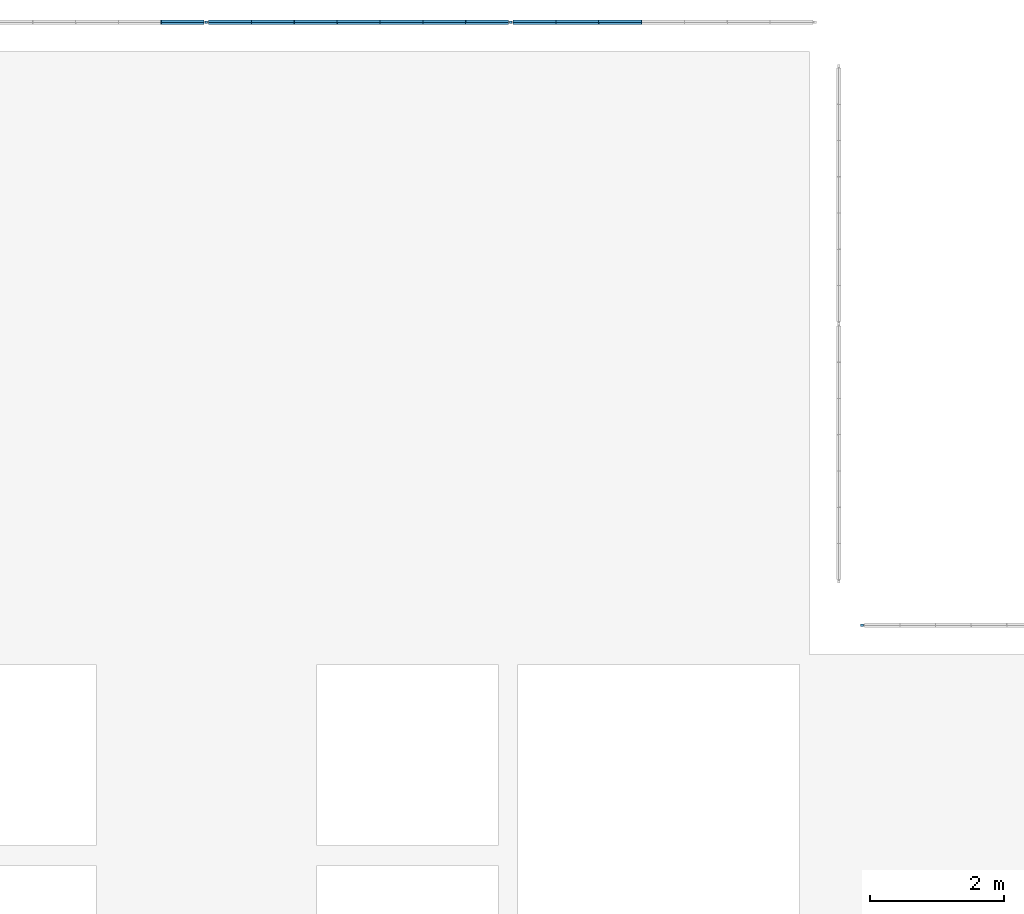
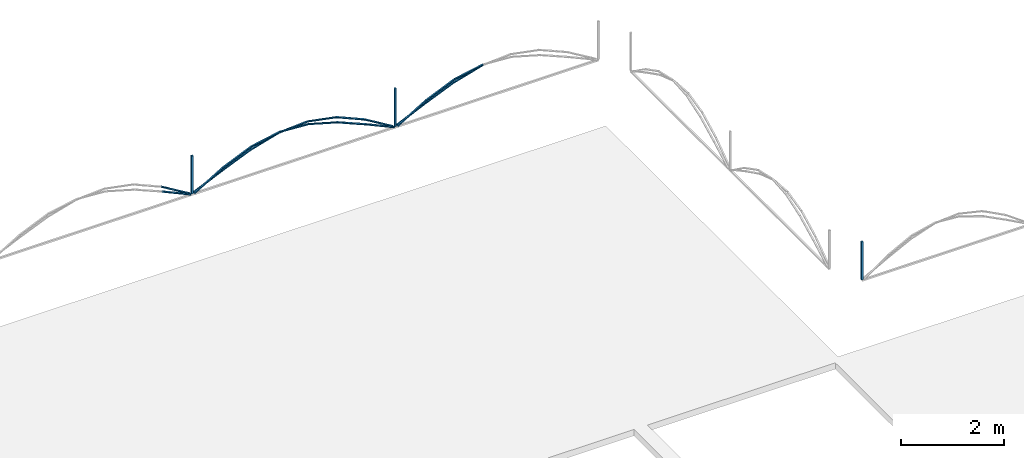
# One storey, part 8 of 9: 25 discrete accessories.
"""IFC4 building model written with IfcOpenShell, lengths in metres."""

from ifc_helpers import new_model, si_unit, direction, frame, origin, origin_2d, place, context, subcontext, project, spatial, rectangle, extrude, material, material_profile, profile_set, type_object, element, save


model = new_model("IFC4")

# Units and contexts
model_context = context("Model", 3, precision=1e-05, world=origin(), true_north=direction((0.0, 1.0)))
body_context = subcontext(model_context, "Body", "Model", "MODEL_VIEW")
ifc_project = project(units=[si_unit("LENGTHUNIT", "METRE"), si_unit("AREAUNIT", "SQUARE_METRE"), si_unit("VOLUMEUNIT", "CUBIC_METRE"), si_unit("PLANEANGLEUNIT", "RADIAN"), si_unit("MASSUNIT", "GRAM", prefix="KILO")], contexts=[model_context])

# Site, building, storey
site_placement = place(None, origin())
site = spatial("IfcSite", under=ifc_project, at=site_placement, CompositionType="ELEMENT")
building_placement = place(site_placement, origin())
building = spatial("IfcBuilding", under=site, at=building_placement, Name="Hortulan Conservatory and Botanical Research Centre", CompositionType="ELEMENT")
storey_placement = place(building_placement, frame((0.0, 0.0, 74.25)))
storey = spatial("IfcBuildingStorey", under=building, at=storey_placement, Name="MAIN ROOF", CompositionType="ELEMENT", Elevation=74.25)

# Discrete accessories
ifc_material = material(Name="Bronze-charcoal painted wrought iron", Category="metal")
ifc_material_profile_1 = material_profile(ifc_material, rectangle(XDim=0.0400390625, YDim=0.0400390625, at=origin_2d()), Name="Square bar 40x40")
ifc_profile_set_1 = profile_set([ifc_material_profile_1], Name="Bronze-charcoal painted wrought iron")
discrete_accessory_type_1 = type_object("IfcDiscreteAccessoryType", Name="Cresting Post 40x40", PredefinedType="USERDEFINED", material=ifc_profile_set_1)
for number, where, z_axis, x_axis, name in (
    (1, (18.0, 27.43603515625, 1.43994140625), (0.0, 0.0, 1.0), (1.0, 0.0, 0.0), "Cresting post"),
    (2, (22.54296875, 27.43603515625, 1.43994140625), (0.0, 0.0, 1.0), (1.0, 0.0, 0.0), "Cresting post"),
    (3, (27.785888671875, 18.43603515625, 1.43994140625), (0.0, 0.0, 1.0), (1.0, 0.0, 0.0), "Cresting post"),
):
    element("IfcDiscreteAccessory", number, at=place(storey_placement, frame(where, z_axis=z_axis, x_axis=x_axis)), inside=storey, type_object=discrete_accessory_type_1, Name=name, ObjectType="Cresting post", PredefinedType="USERDEFINED", context=body_context, shape_type="SweptSolid", body=[
        extrude(rectangle(XDim=0.0400390625, YDim=0.0400390625, at=origin_2d()), origin(), (0.0, 0.0, 1.0), 0.900146484375),
    ])
ifc_material_profile_2 = material_profile(ifc_material, rectangle(XDim=0.034912109375, YDim=0.02490234375, at=origin_2d()), Name="Flat bar 35x25")
ifc_profile_set_2 = profile_set([ifc_material_profile_2], Name="Bronze-charcoal painted wrought iron")
discrete_accessory_type_2 = type_object("IfcDiscreteAccessoryType", Name="Whiplash Bar 35x25", PredefinedType="USERDEFINED", material=ifc_profile_set_2)
discrete_accessory_1_placement = place(storey_placement, frame((17.322509765625, 27.41845703125, 1.730224609375), z_axis=(0.910079774887, 0.0, -0.414433110816), x_axis=(0.0, 1.0, 0.0)))
element("IfcDiscreteAccessory", 4, at=discrete_accessory_1_placement, inside=storey, type_object=discrete_accessory_type_2, Name="Whiplash bar", ObjectType="Whiplash cresting bar", PredefinedType="USERDEFINED", context=body_context, shape_type="SweptSolid", body=[
    extrude(rectangle(XDim=0.034912109375, YDim=0.02490234375, at=origin_2d()), origin(), (0.0, 0.0, 1.0), 0.700439453125),
])
for number, where, z_axis, x_axis, name in (
    (5, (17.322509765625, 27.45361328125, 1.8232421875), (0.857000192886, 0.0, -0.515316086875), (0.0, 1.0, 0.0), "Whiplash bar"),
    (6, (18.0400390625, 27.41845703125, 1.43994140625), (0.857000192886, 0.0, 0.515316086875), (0.0, 1.0, 0.0), "Whiplash bar"),
):
    element("IfcDiscreteAccessory", number, at=place(storey_placement, frame(where, z_axis=z_axis, x_axis=x_axis)), inside=storey, type_object=discrete_accessory_type_2, Name=name, ObjectType="Whiplash cresting bar", PredefinedType="USERDEFINED", context=body_context, shape_type="SweptSolid", body=[
        extrude(rectangle(XDim=0.034912109375, YDim=0.02490234375, at=origin_2d()), origin(), (0.0, 0.0, 1.0), 0.743896484375),
    ])
discrete_accessory_2_placement = place(storey_placement, frame((18.677490234375, 27.41845703125, 1.8232421875), z_axis=(0.917153771526, 0.0, 0.398533510981), x_axis=(0.0, 1.0, 0.0)))
element("IfcDiscreteAccessory", 7, at=discrete_accessory_2_placement, inside=storey, type_object=discrete_accessory_type_2, Name="Whiplash bar", ObjectType="Whiplash cresting bar", PredefinedType="USERDEFINED", context=body_context, shape_type="SweptSolid", body=[
    extrude(rectangle(XDim=0.034912109375, YDim=0.02490234375, at=origin_2d()), origin(), (0.0, 0.0, 1.0), 0.6953125),
])
discrete_accessory_3_placement = place(storey_placement, frame((19.315185546875, 27.41845703125, 2.100341796875), z_axis=(0.981664275789, 0.0, 0.190618072702), x_axis=(0.0, 1.0, 0.0)))
element("IfcDiscreteAccessory", 8, at=discrete_accessory_3_placement, inside=storey, type_object=discrete_accessory_type_2, Name="Whiplash bar", ObjectType="Whiplash cresting bar", PredefinedType="USERDEFINED", context=body_context, shape_type="SweptSolid", body=[
    extrude(rectangle(XDim=0.034912109375, YDim=0.02490234375, at=origin_2d()), origin(), (0.0, 0.0, 1.0), 0.6494140625),
])
discrete_accessory_4_placement = place(storey_placement, frame((19.95263671875, 27.41845703125, 2.22412109375), z_axis=(0.997888726804, 0.0, -0.064946816063), x_axis=(0.0, 1.0, 0.0)))
element("IfcDiscreteAccessory", 9, at=discrete_accessory_4_placement, inside=storey, type_object=discrete_accessory_type_2, Name="Whiplash bar", ObjectType="Whiplash cresting bar", PredefinedType="USERDEFINED", context=body_context, shape_type="SweptSolid", body=[
    extrude(rectangle(XDim=0.034912109375, YDim=0.02490234375, at=origin_2d()), origin(), (0.0, 0.0, 1.0), 0.63916015625),
])
discrete_accessory_5_placement = place(storey_placement, frame((20.59033203125, 27.41845703125, 2.1826171875), z_axis=(0.961523947641, 0.0, -0.274721127897), x_axis=(0.0, 1.0, 0.0)))
element("IfcDiscreteAccessory", 10, at=discrete_accessory_5_placement, inside=storey, type_object=discrete_accessory_type_2, Name="Whiplash bar", ObjectType="Whiplash cresting bar", PredefinedType="USERDEFINED", context=body_context, shape_type="SweptSolid", body=[
    extrude(rectangle(XDim=0.034912109375, YDim=0.02490234375, at=origin_2d()), origin(), (0.0, 0.0, 1.0), 0.662841796875),
])
discrete_accessory_6_placement = place(storey_placement, frame((21.227783203125, 27.41845703125, 2.00048828125), z_axis=(0.920723817265, 0.0, -0.390214879676), x_axis=(0.0, 1.0, 0.0)))
element("IfcDiscreteAccessory", 11, at=discrete_accessory_6_placement, inside=storey, type_object=discrete_accessory_type_2, Name="Whiplash bar", ObjectType="Whiplash cresting bar", PredefinedType="USERDEFINED", context=body_context, shape_type="SweptSolid", body=[
    extrude(rectangle(XDim=0.034912109375, YDim=0.02490234375, at=origin_2d()), origin(), (0.0, 0.0, 1.0), 0.692626953125),
])
for number, where, z_axis, x_axis, name in (
    (12, (21.865478515625, 27.41845703125, 1.730224609375), (0.910079774887, 0.0, -0.414433110816), (0.0, 1.0, 0.0), "Whiplash bar"),
    (13, (18.0400390625, 27.45361328125, 1.43994140625), (0.910079774887, 0.0, 0.414433110816), (0.0, 1.0, 0.0), "Whiplash bar"),
):
    element("IfcDiscreteAccessory", number, at=place(storey_placement, frame(where, z_axis=z_axis, x_axis=x_axis)), inside=storey, type_object=discrete_accessory_type_2, Name=name, ObjectType="Whiplash cresting bar", PredefinedType="USERDEFINED", context=body_context, shape_type="SweptSolid", body=[
        extrude(rectangle(XDim=0.034912109375, YDim=0.02490234375, at=origin_2d()), origin(), (0.0, 0.0, 1.0), 0.700439453125),
    ])
discrete_accessory_7_placement = place(storey_placement, frame((18.677490234375, 27.45361328125, 1.730224609375), z_axis=(0.920723817265, 0.0, 0.390214879676), x_axis=(0.0, 1.0, 0.0)))
element("IfcDiscreteAccessory", 14, at=discrete_accessory_7_placement, inside=storey, type_object=discrete_accessory_type_2, Name="Whiplash bar", ObjectType="Whiplash cresting bar", PredefinedType="USERDEFINED", context=body_context, shape_type="SweptSolid", body=[
    extrude(rectangle(XDim=0.034912109375, YDim=0.02490234375, at=origin_2d()), origin(), (0.0, 0.0, 1.0), 0.692626953125),
])
discrete_accessory_8_placement = place(storey_placement, frame((19.315185546875, 27.45361328125, 2.00048828125), z_axis=(0.961523947641, 0.0, 0.274721127897), x_axis=(0.0, 1.0, 0.0)))
element("IfcDiscreteAccessory", 15, at=discrete_accessory_8_placement, inside=storey, type_object=discrete_accessory_type_2, Name="Whiplash bar", ObjectType="Whiplash cresting bar", PredefinedType="USERDEFINED", context=body_context, shape_type="SweptSolid", body=[
    extrude(rectangle(XDim=0.034912109375, YDim=0.02490234375, at=origin_2d()), origin(), (0.0, 0.0, 1.0), 0.662841796875),
])
discrete_accessory_9_placement = place(storey_placement, frame((19.95263671875, 27.45361328125, 2.1826171875), z_axis=(0.997888726804, 0.0, 0.064946816063), x_axis=(0.0, 1.0, 0.0)))
element("IfcDiscreteAccessory", 16, at=discrete_accessory_9_placement, inside=storey, type_object=discrete_accessory_type_2, Name="Whiplash bar", ObjectType="Whiplash cresting bar", PredefinedType="USERDEFINED", context=body_context, shape_type="SweptSolid", body=[
    extrude(rectangle(XDim=0.034912109375, YDim=0.02490234375, at=origin_2d()), origin(), (0.0, 0.0, 1.0), 0.63916015625),
])
discrete_accessory_10_placement = place(storey_placement, frame((20.59033203125, 27.45361328125, 2.22412109375), z_axis=(0.981664275789, 0.0, -0.190618072702), x_axis=(0.0, 1.0, 0.0)))
element("IfcDiscreteAccessory", 17, at=discrete_accessory_10_placement, inside=storey, type_object=discrete_accessory_type_2, Name="Whiplash bar", ObjectType="Whiplash cresting bar", PredefinedType="USERDEFINED", context=body_context, shape_type="SweptSolid", body=[
    extrude(rectangle(XDim=0.034912109375, YDim=0.02490234375, at=origin_2d()), origin(), (0.0, 0.0, 1.0), 0.6494140625),
])
discrete_accessory_11_placement = place(storey_placement, frame((21.227783203125, 27.45361328125, 2.100341796875), z_axis=(0.917153771526, 0.0, -0.398533510981), x_axis=(0.0, 1.0, 0.0)))
element("IfcDiscreteAccessory", 18, at=discrete_accessory_11_placement, inside=storey, type_object=discrete_accessory_type_2, Name="Whiplash bar", ObjectType="Whiplash cresting bar", PredefinedType="USERDEFINED", context=body_context, shape_type="SweptSolid", body=[
    extrude(rectangle(XDim=0.034912109375, YDim=0.02490234375, at=origin_2d()), origin(), (0.0, 0.0, 1.0), 0.6953125),
])
discrete_accessory_12_placement = place(storey_placement, frame((21.865478515625, 27.45361328125, 1.8232421875), z_axis=(0.857000192886, 0.0, -0.515316086875), x_axis=(0.0, 1.0, 0.0)))
element("IfcDiscreteAccessory", 19, at=discrete_accessory_12_placement, inside=storey, type_object=discrete_accessory_type_2, Name="Whiplash bar", ObjectType="Whiplash cresting bar", PredefinedType="USERDEFINED", context=body_context, shape_type="SweptSolid", body=[
    extrude(rectangle(XDim=0.034912109375, YDim=0.02490234375, at=origin_2d()), origin(), (0.0, 0.0, 1.0), 0.743896484375),
])
discrete_accessory_13_placement = place(storey_placement, frame((22.5830078125, 27.41845703125, 1.43994140625), z_axis=(0.857087316971, 0.0, 0.515171166786), x_axis=(0.0, 1.0, 0.0)))
element("IfcDiscreteAccessory", 20, at=discrete_accessory_13_placement, inside=storey, type_object=discrete_accessory_type_2, Name="Whiplash bar", ObjectType="Whiplash cresting bar", PredefinedType="USERDEFINED", context=body_context, shape_type="SweptSolid", body=[
    extrude(rectangle(XDim=0.034912109375, YDim=0.02490234375, at=origin_2d()), origin(), (0.0, 0.0, 1.0), 0.744140625),
])
discrete_accessory_14_placement = place(storey_placement, frame((23.220703125, 27.41845703125, 1.8232421875), z_axis=(0.917097974828, 0.0, 0.398661892543), x_axis=(0.0, 1.0, 0.0)))
element("IfcDiscreteAccessory", 21, at=discrete_accessory_14_placement, inside=storey, type_object=discrete_accessory_type_2, Name="Whiplash bar", ObjectType="Whiplash cresting bar", PredefinedType="USERDEFINED", context=body_context, shape_type="SweptSolid", body=[
    extrude(rectangle(XDim=0.034912109375, YDim=0.02490234375, at=origin_2d()), origin(), (0.0, 0.0, 1.0), 0.695068359375),
])
discrete_accessory_15_placement = place(storey_placement, frame((23.858154296875, 27.41845703125, 2.100341796875), z_axis=(0.981664275789, 0.0, 0.190618072702), x_axis=(0.0, 1.0, 0.0)))
element("IfcDiscreteAccessory", 22, at=discrete_accessory_15_placement, inside=storey, type_object=discrete_accessory_type_2, Name="Whiplash bar", ObjectType="Whiplash cresting bar", PredefinedType="USERDEFINED", context=body_context, shape_type="SweptSolid", body=[
    extrude(rectangle(XDim=0.034912109375, YDim=0.02490234375, at=origin_2d()), origin(), (0.0, 0.0, 1.0), 0.6494140625),
])
discrete_accessory_16_placement = place(storey_placement, frame((22.5830078125, 27.45361328125, 1.43994140625), z_axis=(0.910139612584, 0.0, 0.414301684289), x_axis=(0.0, 1.0, 0.0)))
element("IfcDiscreteAccessory", 23, at=discrete_accessory_16_placement, inside=storey, type_object=discrete_accessory_type_2, Name="Whiplash bar", ObjectType="Whiplash cresting bar", PredefinedType="USERDEFINED", context=body_context, shape_type="SweptSolid", body=[
    extrude(rectangle(XDim=0.034912109375, YDim=0.02490234375, at=origin_2d()), origin(), (0.0, 0.0, 1.0), 0.70068359375),
])
discrete_accessory_17_placement = place(storey_placement, frame((23.220703125, 27.45361328125, 1.730224609375), z_axis=(0.920670117137, 0.0, 0.390341562494), x_axis=(0.0, 1.0, 0.0)))
element("IfcDiscreteAccessory", 24, at=discrete_accessory_17_placement, inside=storey, type_object=discrete_accessory_type_2, Name="Whiplash bar", ObjectType="Whiplash cresting bar", PredefinedType="USERDEFINED", context=body_context, shape_type="SweptSolid", body=[
    extrude(rectangle(XDim=0.034912109375, YDim=0.02490234375, at=origin_2d()), origin(), (0.0, 0.0, 1.0), 0.6923828125),
])
discrete_accessory_18_placement = place(storey_placement, frame((23.858154296875, 27.45361328125, 2.00048828125), z_axis=(0.961523947641, 0.0, 0.274721127897), x_axis=(0.0, 1.0, 0.0)))
element("IfcDiscreteAccessory", 25, at=discrete_accessory_18_placement, inside=storey, type_object=discrete_accessory_type_2, Name="Whiplash bar", ObjectType="Whiplash cresting bar", PredefinedType="USERDEFINED", context=body_context, shape_type="SweptSolid", body=[
    extrude(rectangle(XDim=0.034912109375, YDim=0.02490234375, at=origin_2d()), origin(), (0.0, 0.0, 1.0), 0.662841796875),
])

save(model, "model.ifc")
